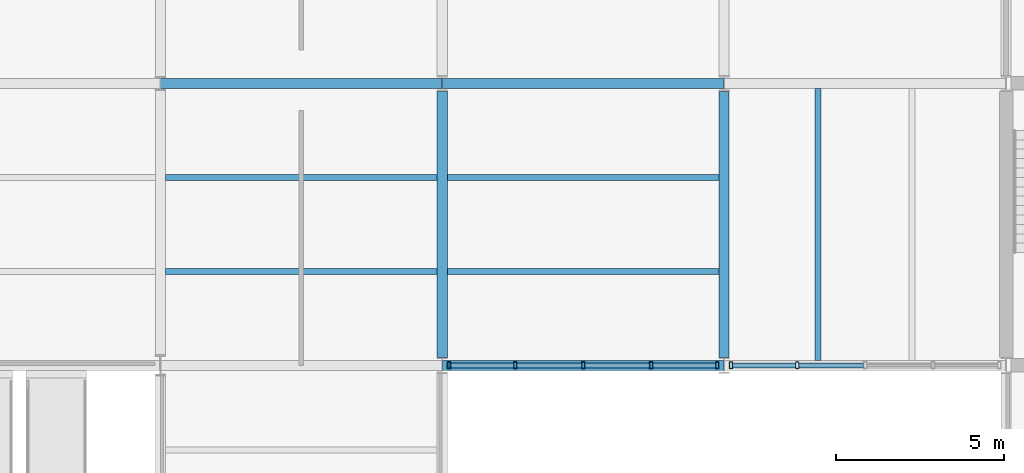
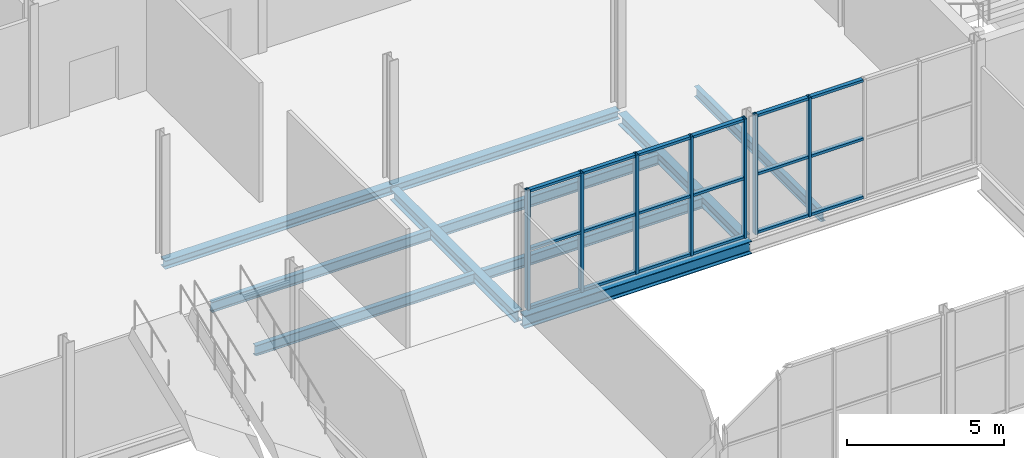
# One storey, part 22 of 57: 25 members, 10 beams, 2 elements without a shape of their own.
"""IFC4 building model written with IfcOpenShell, lengths in metres."""

from ifc_helpers import new_model, si_unit, direction, frame, origin, origin_2d, place, context, subcontext, project, spatial, hollow_rectangle, i_section, extrude, material, layer, layer_set, material_profile, profile_set, type_object, element, aggregate, save


model = new_model("IFC4")

# Units and contexts
model_context = context("Model", 3, precision=1e-05, world=origin(), true_north=direction((0.0, 1.0)))
body_context = subcontext(model_context, "Body", "Model", "MODEL_VIEW")
ifc_project = project(units=[si_unit("LENGTHUNIT", "METRE"), si_unit("AREAUNIT", "SQUARE_METRE"), si_unit("VOLUMEUNIT", "CUBIC_METRE"), si_unit("PLANEANGLEUNIT", "RADIAN"), si_unit("MASSUNIT", "GRAM", prefix="KILO")], contexts=[model_context])

# Site, building, storey
site_placement = place(None, origin())
site = spatial("IfcSite", under=ifc_project, at=site_placement, CompositionType="ELEMENT")
building_placement = place(site_placement, origin())
building = spatial("IfcBuilding", under=site, at=building_placement, Name="Galleria Vessillo Department Store", CompositionType="ELEMENT")
storey_placement = place(building_placement, frame((0.0, 0.0, 21.0)))
storey = spatial("IfcBuildingStorey", under=building, at=storey_placement, Name="L04", CompositionType="ELEMENT", Elevation=21.0)

# Beams
ifc_material_1 = material(Name="Steel S355 J2", Category="steel")
ifc_material_profile_1 = material_profile(ifc_material_1, i_section(OverallWidth=0.300048828125, OverallDepth=0.43994140625, WebThickness=0.011474609375, FlangeThickness=0.02099609375, FilletRadius=0.027099609375, at=origin_2d()), Name="HEA 450")
ifc_profile_set_1 = profile_set([ifc_material_profile_1], Name="Steel S355 J2")
beam_type_1 = type_object("IfcBeamType", Name="Floor girder HEA 450", PredefinedType="BEAM", material=ifc_profile_set_1)
for number, where, z_axis, x_axis, name in (
    (1, (84.0, 38.0390625, -0.369873046875), (0.0, 1.0, 0.0), (-1.0, 0.0, 0.0), "S-BM-L04-GI-y84000-38039"),
    (2, (92.39990234375, 38.0390625, -0.369873046875), (0.0, 1.0, 0.0), (-1.0, 0.0, 0.0), "S-BM-L04-GI-y92400-38039"),
):
    element("IfcBeam", number, at=place(storey_placement, frame(where, z_axis=z_axis, x_axis=x_axis)), inside=storey, type_object=beam_type_1, Name=name, PredefinedType="BEAM", context=body_context, shape_type="SweptSolid", body=[
        extrude(i_section(OverallWidth=0.300048828125, OverallDepth=0.43994140625, WebThickness=0.011474609375, FlangeThickness=0.02099609375, FilletRadius=0.027099609375, at=origin_2d()), origin(), (0.0, 0.0, 1.0), 7.921875),
    ])
ifc_material_2 = material(Name="Steel S355 J2", Category="steel")
ifc_material_profile_2 = material_profile(ifc_material_2, i_section(OverallWidth=0.179931640625, OverallDepth=0.39990234375, WebThickness=0.008544921875, FlangeThickness=0.013427734375, FilletRadius=0.02099609375, at=origin_2d()), Name="IPE 400")
ifc_profile_set_2 = profile_set([ifc_material_profile_2], Name="Steel S355 J2")
beam_type_2 = type_object("IfcBeamType", Name="Floor joist IPE 400", PredefinedType="JOIST", material=ifc_profile_set_2)
for number, where, z_axis, x_axis, name in (
    (3, (75.750244140625, 40.60009765625, -0.349853515625), (1.0, 0.0, 0.0), (0.0, 1.0, 0.0), "S-BM-L04-JO-x40600-75750"),
    (4, (75.750244140625, 43.39990234375, -0.349853515625), (1.0, 0.0, 0.0), (0.0, 1.0, 0.0), "S-BM-L04-JO-x43400-75750"),
    (5, (84.150146484375, 40.60009765625, -0.349853515625), (1.0, 0.0, 0.0), (0.0, 1.0, 0.0), "S-BM-L04-JO-x40600-84150"),
    (6, (84.150146484375, 43.39990234375, -0.349853515625), (1.0, 0.0, 0.0), (0.0, 1.0, 0.0), "S-BM-L04-JO-x43400-84150"),
    (7, (95.199951171875, 37.9501953125, -0.349853515625), (0.0, 1.0, 0.0), (-1.0, 0.0, 0.0), "S-BM-L04-JO-y95200-37950"),
):
    element("IfcBeam", number, at=place(storey_placement, frame(where, z_axis=z_axis, x_axis=x_axis)), inside=storey, type_object=beam_type_2, Name=name, PredefinedType="JOIST", context=body_context, shape_type="SweptSolid", body=[
        extrude(i_section(OverallWidth=0.179931640625, OverallDepth=0.39990234375, WebThickness=0.008544921875, FlangeThickness=0.013427734375, FilletRadius=0.02099609375, at=origin_2d()), origin(), (0.0, 0.0, 1.0), 8.099609375),
    ])
ifc_material_3 = material(Name="Steel S355 J2", Category="steel")
ifc_material_profile_3 = material_profile(ifc_material_3, i_section(OverallWidth=0.300048828125, OverallDepth=0.330078125, WebThickness=0.009521484375, FlangeThickness=0.0166015625, FilletRadius=0.027099609375, at=origin_2d()), Name="HEA 340")
ifc_profile_set_3 = profile_set([ifc_material_profile_3], Name="Steel S355 J2")
beam_type_3 = type_object("IfcBeamType", Name="Floor tie girder HEA 340", PredefinedType="BEAM", material=ifc_profile_set_3)
beam_1_placement = place(storey_placement, frame((75.60693359375, 46.199951171875, -0.31494140625), z_axis=(1.0, 0.0, 0.0), x_axis=(0.0, 1.0, 0.0)))
element("IfcBeam", 8, at=beam_1_placement, inside=storey, type_object=beam_type_3, Name="S-BM-L04-TI-x46200-75607", PredefinedType="BEAM", context=body_context, shape_type="SweptSolid", body=[
    extrude(i_section(OverallWidth=0.300048828125, OverallDepth=0.330078125, WebThickness=0.009521484375, FlangeThickness=0.0166015625, FilletRadius=0.027099609375, at=origin_2d()), origin(), (0.0, 0.0, 1.0), 8.38232421875),
])
beam_2_placement = place(storey_placement, frame((84.0107421875, 46.199951171875, -0.31494140625), z_axis=(1.0, 0.0, 0.0), x_axis=(0.0, 1.0, 0.0)))
element("IfcBeam", 9, at=beam_2_placement, inside=storey, type_object=beam_type_3, Name="S-BM-L04-TI-x46200-84011", PredefinedType="BEAM", context=body_context, shape_type="SweptSolid", body=[
    extrude(i_section(OverallWidth=0.300048828125, OverallDepth=0.330078125, WebThickness=0.009521484375, FlangeThickness=0.0166015625, FilletRadius=0.027099609375, at=origin_2d()), origin(), (0.0, 0.0, 1.0), 8.378662109375),
])

# Curtain wall, members
ifc_material_4 = material(Name="Steel and fire-resisting glass curtain wall", Category="steel")
ifc_layer = layer(ifc_material_4, 0.199951171875)
ifc_layer_set = layer_set([ifc_layer], Name="Steel and fire-resisting glass curtain wall")
curtain_wall_type = type_object("IfcCurtainWallType", Name="Arcade fire-resisting glazed shopfront EI 120-Sa", PredefinedType="NOTDEFINED", material=ifc_layer_set)
curtain_wall_1_placement = place(storey_placement, origin())
curtain_wall_1 = element("IfcCurtainWall", 10, at=curtain_wall_1_placement, inside=storey, type_object=curtain_wall_type, Name="Arcade fire-resisting glazed shopfront EI 120-Sa AI-AE-N-L04-01", PredefinedType="NOTDEFINED")
ifc_material_5 = material(Name="Steel S355 J2", Category="steel")
ifc_material_profile_4 = material_profile(ifc_material_5, hollow_rectangle(XDim=0.199951171875, YDim=0.10009765625, WallThickness=0.008056640625, at=origin_2d()), Name="RHS 200x100x8")
ifc_profile_set_4 = profile_set([ifc_material_profile_4], Name="Steel S355 J2")
member_type_1 = type_object("IfcMemberType", Name="Steel mullion RHS 200x100x8", PredefinedType="MULLION", material=ifc_profile_set_4)
member_1_placement = place(storey_placement, frame((84.20361328125, 37.800048828125, 0.0), z_axis=(0.0, 0.0, 1.0), x_axis=(0.0, 1.0, 0.0)))
member_1 = element("IfcMember", 11, at=member_1_placement, type_object=member_type_1, Name="CW7 mullion 1", PredefinedType="MULLION", context=body_context, shape_type="SweptSolid", body=[
    extrude(hollow_rectangle(XDim=0.199951171875, YDim=0.10009765625, WallThickness=0.008056640625, at=origin_2d()), origin(), (0.0, 0.0, 1.0), 4.650146484375),
])
member_2_placement = place(storey_placement, frame((86.1767578125, 37.800048828125, 0.0), z_axis=(0.0, 0.0, 1.0), x_axis=(0.0, 1.0, 0.0)))
member_2 = element("IfcMember", 12, at=member_2_placement, type_object=member_type_1, Name="CW7 mullion 2", PredefinedType="MULLION", context=body_context, shape_type="SweptSolid", body=[
    extrude(hollow_rectangle(XDim=0.199951171875, YDim=0.10009765625, WallThickness=0.008056640625, at=origin_2d()), origin(), (0.0, 0.0, 1.0), 4.650146484375),
])
member_3_placement = place(storey_placement, frame((88.199951171875, 37.800048828125, 0.0), z_axis=(0.0, 0.0, 1.0), x_axis=(0.0, 1.0, 0.0)))
member_3 = element("IfcMember", 13, at=member_3_placement, type_object=member_type_1, Name="CW7 mullion 3", PredefinedType="MULLION", context=body_context, shape_type="SweptSolid", body=[
    extrude(hollow_rectangle(XDim=0.199951171875, YDim=0.10009765625, WallThickness=0.008056640625, at=origin_2d()), origin(), (0.0, 0.0, 1.0), 4.650146484375),
])
member_4_placement = place(storey_placement, frame((90.22314453125, 37.800048828125, 0.0), z_axis=(0.0, 0.0, 1.0), x_axis=(0.0, 1.0, 0.0)))
member_4 = element("IfcMember", 14, at=member_4_placement, type_object=member_type_1, Name="CW7 mullion 4", PredefinedType="MULLION", context=body_context, shape_type="SweptSolid", body=[
    extrude(hollow_rectangle(XDim=0.199951171875, YDim=0.10009765625, WallThickness=0.008056640625, at=origin_2d()), origin(), (0.0, 0.0, 1.0), 4.650146484375),
])
member_5_placement = place(storey_placement, frame((92.1962890625, 37.800048828125, 0.0), z_axis=(0.0, 0.0, 1.0), x_axis=(0.0, 1.0, 0.0)))
member_5 = element("IfcMember", 15, at=member_5_placement, type_object=member_type_1, Name="CW7 mullion 5", PredefinedType="MULLION", context=body_context, shape_type="SweptSolid", body=[
    extrude(hollow_rectangle(XDim=0.199951171875, YDim=0.10009765625, WallThickness=0.008056640625, at=origin_2d()), origin(), (0.0, 0.0, 1.0), 4.650146484375),
])

curtain_wall_2_placement = place(storey_placement, origin())
curtain_wall_2 = element("IfcCurtainWall", 16, at=curtain_wall_2_placement, inside=storey, type_object=curtain_wall_type, Name="Arcade fire-resisting glazed shopfront EI 120-Sa AI-AE-N-L04-02", PredefinedType="NOTDEFINED")
member_6_placement = place(storey_placement, frame((92.603515625, 37.800048828125, 0.0), z_axis=(0.0, 0.0, 1.0), x_axis=(0.0, 1.0, 0.0)))
member_6 = element("IfcMember", 17, at=member_6_placement, type_object=member_type_1, Name="CW7 mullion 1", PredefinedType="MULLION", context=body_context, shape_type="SweptSolid", body=[
    extrude(hollow_rectangle(XDim=0.199951171875, YDim=0.10009765625, WallThickness=0.008056640625, at=origin_2d()), origin(), (0.0, 0.0, 1.0), 4.650146484375),
])
member_7_placement = place(storey_placement, frame((94.57666015625, 37.800048828125, 0.0), z_axis=(0.0, 0.0, 1.0), x_axis=(0.0, 1.0, 0.0)))
member_7 = element("IfcMember", 18, at=member_7_placement, type_object=member_type_1, Name="CW7 mullion 2", PredefinedType="MULLION", context=body_context, shape_type="SweptSolid", body=[
    extrude(hollow_rectangle(XDim=0.199951171875, YDim=0.10009765625, WallThickness=0.008056640625, at=origin_2d()), origin(), (0.0, 0.0, 1.0), 4.650146484375),
])

# Member
ifc_material_6 = material(Name="Steel S355 J2", Category="steel")
ifc_material_profile_5 = material_profile(ifc_material_6, hollow_rectangle(XDim=0.14990234375, YDim=0.10009765625, WallThickness=0.008056640625, at=origin_2d()), Name="RHS 150x100x8")
ifc_profile_set_5 = profile_set([ifc_material_profile_5], Name="Steel S355 J2")
member_type_2 = type_object("IfcMemberType", Name="Steel transom RHS 150x100x8", PredefinedType="USERDEFINED", material=ifc_profile_set_5)
member_8_placement = place(storey_placement, frame((84.253662109375, 37.800048828125, 0.050048828125), z_axis=(1.0, 0.0, 0.0), x_axis=(0.0, 1.0, 0.0)))
member_8 = element("IfcMember", 19, at=member_8_placement, type_object=member_type_2, Name="CW7 transom 1.1", ObjectType="TRANSOM", PredefinedType="USERDEFINED", context=body_context, shape_type="SweptSolid", body=[
    extrude(hollow_rectangle(XDim=0.14990234375, YDim=0.10009765625, WallThickness=0.008056640625, at=origin_2d()), origin(), (0.0, 0.0, 1.0), 1.873046875),
])

member_9_placement = place(storey_placement, frame((84.253662109375, 37.800048828125, 2.3251953125), z_axis=(1.0, 0.0, 0.0), x_axis=(0.0, 1.0, 0.0)))
member_9 = element("IfcMember", 20, at=member_9_placement, type_object=member_type_2, Name="CW7 transom 1.2", ObjectType="TRANSOM", PredefinedType="USERDEFINED", context=body_context, shape_type="SweptSolid", body=[
    extrude(hollow_rectangle(XDim=0.14990234375, YDim=0.10009765625, WallThickness=0.008056640625, at=origin_2d()), origin(), (0.0, 0.0, 1.0), 1.873046875),
])

member_10_placement = place(storey_placement, frame((84.253662109375, 37.800048828125, 4.60009765625), z_axis=(1.0, 0.0, 0.0), x_axis=(0.0, 1.0, 0.0)))
member_10 = element("IfcMember", 21, at=member_10_placement, type_object=member_type_2, Name="CW7 transom 1.3", ObjectType="TRANSOM", PredefinedType="USERDEFINED", context=body_context, shape_type="SweptSolid", body=[
    extrude(hollow_rectangle(XDim=0.14990234375, YDim=0.10009765625, WallThickness=0.008056640625, at=origin_2d()), origin(), (0.0, 0.0, 1.0), 1.873046875),
])

member_11_placement = place(storey_placement, frame((86.226806640625, 37.800048828125, 0.050048828125), z_axis=(1.0, 0.0, 0.0), x_axis=(0.0, 1.0, 0.0)))
member_11 = element("IfcMember", 22, at=member_11_placement, type_object=member_type_2, Name="CW7 transom 2.1", ObjectType="TRANSOM", PredefinedType="USERDEFINED", context=body_context, shape_type="SweptSolid", body=[
    extrude(hollow_rectangle(XDim=0.14990234375, YDim=0.10009765625, WallThickness=0.008056640625, at=origin_2d()), origin(), (0.0, 0.0, 1.0), 1.923095703125),
])

member_12_placement = place(storey_placement, frame((86.226806640625, 37.800048828125, 2.3251953125), z_axis=(1.0, 0.0, 0.0), x_axis=(0.0, 1.0, 0.0)))
member_12 = element("IfcMember", 23, at=member_12_placement, type_object=member_type_2, Name="CW7 transom 2.2", ObjectType="TRANSOM", PredefinedType="USERDEFINED", context=body_context, shape_type="SweptSolid", body=[
    extrude(hollow_rectangle(XDim=0.14990234375, YDim=0.10009765625, WallThickness=0.008056640625, at=origin_2d()), origin(), (0.0, 0.0, 1.0), 1.923095703125),
])

member_13_placement = place(storey_placement, frame((86.226806640625, 37.800048828125, 4.60009765625), z_axis=(1.0, 0.0, 0.0), x_axis=(0.0, 1.0, 0.0)))
member_13 = element("IfcMember", 24, at=member_13_placement, type_object=member_type_2, Name="CW7 transom 2.3", ObjectType="TRANSOM", PredefinedType="USERDEFINED", context=body_context, shape_type="SweptSolid", body=[
    extrude(hollow_rectangle(XDim=0.14990234375, YDim=0.10009765625, WallThickness=0.008056640625, at=origin_2d()), origin(), (0.0, 0.0, 1.0), 1.923095703125),
])

member_14_placement = place(storey_placement, frame((88.25, 37.800048828125, 0.050048828125), z_axis=(1.0, 0.0, 0.0), x_axis=(0.0, 1.0, 0.0)))
member_14 = element("IfcMember", 25, at=member_14_placement, type_object=member_type_2, Name="CW7 transom 3.1", ObjectType="TRANSOM", PredefinedType="USERDEFINED", context=body_context, shape_type="SweptSolid", body=[
    extrude(hollow_rectangle(XDim=0.14990234375, YDim=0.10009765625, WallThickness=0.008056640625, at=origin_2d()), origin(), (0.0, 0.0, 1.0), 1.923095703125),
])

member_15_placement = place(storey_placement, frame((88.25, 37.800048828125, 2.3251953125), z_axis=(1.0, 0.0, 0.0), x_axis=(0.0, 1.0, 0.0)))
member_15 = element("IfcMember", 26, at=member_15_placement, type_object=member_type_2, Name="CW7 transom 3.2", ObjectType="TRANSOM", PredefinedType="USERDEFINED", context=body_context, shape_type="SweptSolid", body=[
    extrude(hollow_rectangle(XDim=0.14990234375, YDim=0.10009765625, WallThickness=0.008056640625, at=origin_2d()), origin(), (0.0, 0.0, 1.0), 1.923095703125),
])

member_16_placement = place(storey_placement, frame((88.25, 37.800048828125, 4.60009765625), z_axis=(1.0, 0.0, 0.0), x_axis=(0.0, 1.0, 0.0)))
member_16 = element("IfcMember", 27, at=member_16_placement, type_object=member_type_2, Name="CW7 transom 3.3", ObjectType="TRANSOM", PredefinedType="USERDEFINED", context=body_context, shape_type="SweptSolid", body=[
    extrude(hollow_rectangle(XDim=0.14990234375, YDim=0.10009765625, WallThickness=0.008056640625, at=origin_2d()), origin(), (0.0, 0.0, 1.0), 1.923095703125),
])

member_17_placement = place(storey_placement, frame((90.273193359375, 37.800048828125, 0.050048828125), z_axis=(1.0, 0.0, 0.0), x_axis=(0.0, 1.0, 0.0)))
member_17 = element("IfcMember", 28, at=member_17_placement, type_object=member_type_2, Name="CW7 transom 4.1", ObjectType="TRANSOM", PredefinedType="USERDEFINED", context=body_context, shape_type="SweptSolid", body=[
    extrude(hollow_rectangle(XDim=0.14990234375, YDim=0.10009765625, WallThickness=0.008056640625, at=origin_2d()), origin(), (0.0, 0.0, 1.0), 1.873046875),
])

member_18_placement = place(storey_placement, frame((90.273193359375, 37.800048828125, 2.3251953125), z_axis=(1.0, 0.0, 0.0), x_axis=(0.0, 1.0, 0.0)))
member_18 = element("IfcMember", 29, at=member_18_placement, type_object=member_type_2, Name="CW7 transom 4.2", ObjectType="TRANSOM", PredefinedType="USERDEFINED", context=body_context, shape_type="SweptSolid", body=[
    extrude(hollow_rectangle(XDim=0.14990234375, YDim=0.10009765625, WallThickness=0.008056640625, at=origin_2d()), origin(), (0.0, 0.0, 1.0), 1.873046875),
])

member_19_placement = place(storey_placement, frame((90.273193359375, 37.800048828125, 4.60009765625), z_axis=(1.0, 0.0, 0.0), x_axis=(0.0, 1.0, 0.0)))
member_19 = element("IfcMember", 30, at=member_19_placement, type_object=member_type_2, Name="CW7 transom 4.3", ObjectType="TRANSOM", PredefinedType="USERDEFINED", context=body_context, shape_type="SweptSolid", body=[
    extrude(hollow_rectangle(XDim=0.14990234375, YDim=0.10009765625, WallThickness=0.008056640625, at=origin_2d()), origin(), (0.0, 0.0, 1.0), 1.873046875),
])

aggregate(curtain_wall_1, [member_1, member_2, member_3, member_4, member_5, member_8, member_9, member_10, member_11, member_12, member_13, member_14, member_15, member_16, member_17, member_18, member_19])

member_20_placement = place(storey_placement, frame((92.653564453125, 37.800048828125, 0.050048828125), z_axis=(1.0, 0.0, 0.0), x_axis=(0.0, 1.0, 0.0)))
member_20 = element("IfcMember", 31, at=member_20_placement, type_object=member_type_2, Name="CW7 transom 1.1", ObjectType="TRANSOM", PredefinedType="USERDEFINED", context=body_context, shape_type="SweptSolid", body=[
    extrude(hollow_rectangle(XDim=0.14990234375, YDim=0.10009765625, WallThickness=0.008056640625, at=origin_2d()), origin(), (0.0, 0.0, 1.0), 1.873046875),
])

member_21_placement = place(storey_placement, frame((92.653564453125, 37.800048828125, 2.3251953125), z_axis=(1.0, 0.0, 0.0), x_axis=(0.0, 1.0, 0.0)))
member_21 = element("IfcMember", 32, at=member_21_placement, type_object=member_type_2, Name="CW7 transom 1.2", ObjectType="TRANSOM", PredefinedType="USERDEFINED", context=body_context, shape_type="SweptSolid", body=[
    extrude(hollow_rectangle(XDim=0.14990234375, YDim=0.10009765625, WallThickness=0.008056640625, at=origin_2d()), origin(), (0.0, 0.0, 1.0), 1.873046875),
])

member_22_placement = place(storey_placement, frame((92.653564453125, 37.800048828125, 4.60009765625), z_axis=(1.0, 0.0, 0.0), x_axis=(0.0, 1.0, 0.0)))
member_22 = element("IfcMember", 33, at=member_22_placement, type_object=member_type_2, Name="CW7 transom 1.3", ObjectType="TRANSOM", PredefinedType="USERDEFINED", context=body_context, shape_type="SweptSolid", body=[
    extrude(hollow_rectangle(XDim=0.14990234375, YDim=0.10009765625, WallThickness=0.008056640625, at=origin_2d()), origin(), (0.0, 0.0, 1.0), 1.873046875),
])

member_23_placement = place(storey_placement, frame((94.626708984375, 37.800048828125, 0.050048828125), z_axis=(1.0, 0.0, 0.0), x_axis=(0.0, 1.0, 0.0)))
member_23 = element("IfcMember", 34, at=member_23_placement, type_object=member_type_2, Name="CW7 transom 2.1", ObjectType="TRANSOM", PredefinedType="USERDEFINED", context=body_context, shape_type="SweptSolid", body=[
    extrude(hollow_rectangle(XDim=0.14990234375, YDim=0.10009765625, WallThickness=0.008056640625, at=origin_2d()), origin(), (0.0, 0.0, 1.0), 1.92333984375),
])

member_24_placement = place(storey_placement, frame((94.626708984375, 37.800048828125, 2.3251953125), z_axis=(1.0, 0.0, 0.0), x_axis=(0.0, 1.0, 0.0)))
member_24 = element("IfcMember", 35, at=member_24_placement, type_object=member_type_2, Name="CW7 transom 2.2", ObjectType="TRANSOM", PredefinedType="USERDEFINED", context=body_context, shape_type="SweptSolid", body=[
    extrude(hollow_rectangle(XDim=0.14990234375, YDim=0.10009765625, WallThickness=0.008056640625, at=origin_2d()), origin(), (0.0, 0.0, 1.0), 1.92333984375),
])

member_25_placement = place(storey_placement, frame((94.626708984375, 37.800048828125, 4.60009765625), z_axis=(1.0, 0.0, 0.0), x_axis=(0.0, 1.0, 0.0)))
member_25 = element("IfcMember", 36, at=member_25_placement, type_object=member_type_2, Name="CW7 transom 2.3", ObjectType="TRANSOM", PredefinedType="USERDEFINED", context=body_context, shape_type="SweptSolid", body=[
    extrude(hollow_rectangle(XDim=0.14990234375, YDim=0.10009765625, WallThickness=0.008056640625, at=origin_2d()), origin(), (0.0, 0.0, 1.0), 1.92333984375),
])

aggregate(curtain_wall_2, [member_6, member_7, member_20, member_21, member_22, member_23, member_24, member_25])

# Beam
ifc_material_7 = material(Name="Steel S355 J2", Category="steel")
ifc_material_profile_6 = material_profile(ifc_material_7, i_section(OverallWidth=0.300048828125, OverallDepth=0.489990234375, WebThickness=0.011962890625, FlangeThickness=0.02294921875, FilletRadius=0.027099609375, at=origin_2d()), Name="HEA 500")
ifc_profile_set_6 = profile_set([ifc_material_profile_6], Name="Steel S355 J2")
beam_type_4 = type_object("IfcBeamType", Name="Trimmer beam HEA 500", PredefinedType="BEAM", material=ifc_profile_set_6)
beam_3_placement = place(storey_placement, frame((84.0107421875, 37.800048828125, -0.39501953125), z_axis=(1.0, 0.0, 0.0), x_axis=(0.0, 1.0, 0.0)))
element("IfcBeam", 37, at=beam_3_placement, inside=storey, type_object=beam_type_4, Name="S-BM-L04-TR-x37800-84011", PredefinedType="BEAM", context=body_context, shape_type="SweptSolid", body=[
    extrude(i_section(OverallWidth=0.300048828125, OverallDepth=0.489990234375, WebThickness=0.011962890625, FlangeThickness=0.02294921875, FilletRadius=0.027099609375, at=origin_2d()), origin(), (0.0, 0.0, 1.0), 8.378662109375),
])

save(model, "model.ifc")
